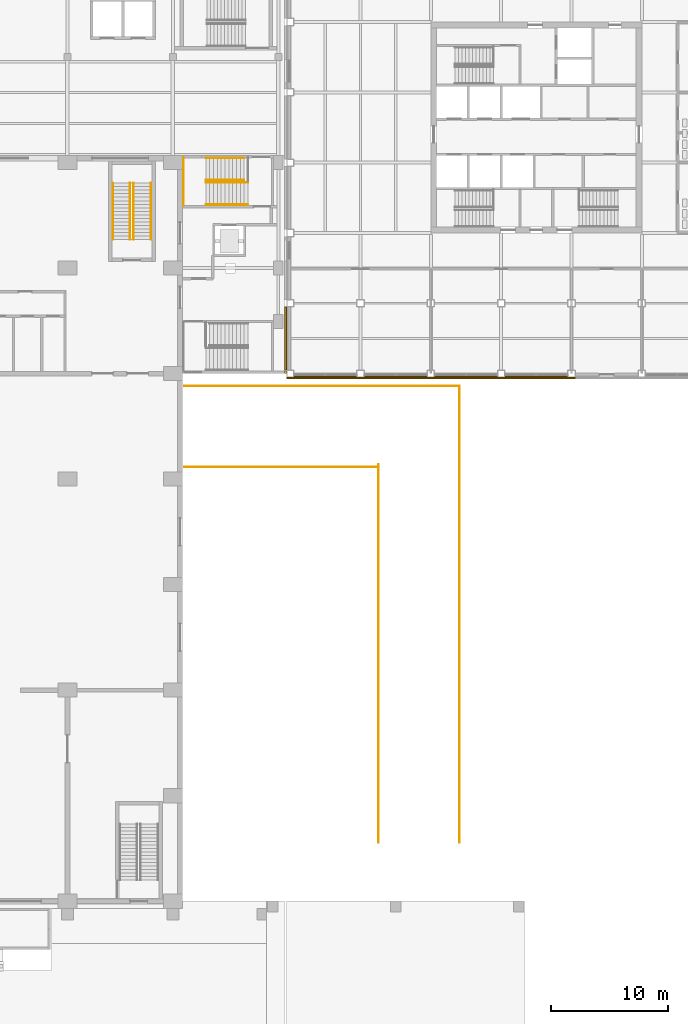
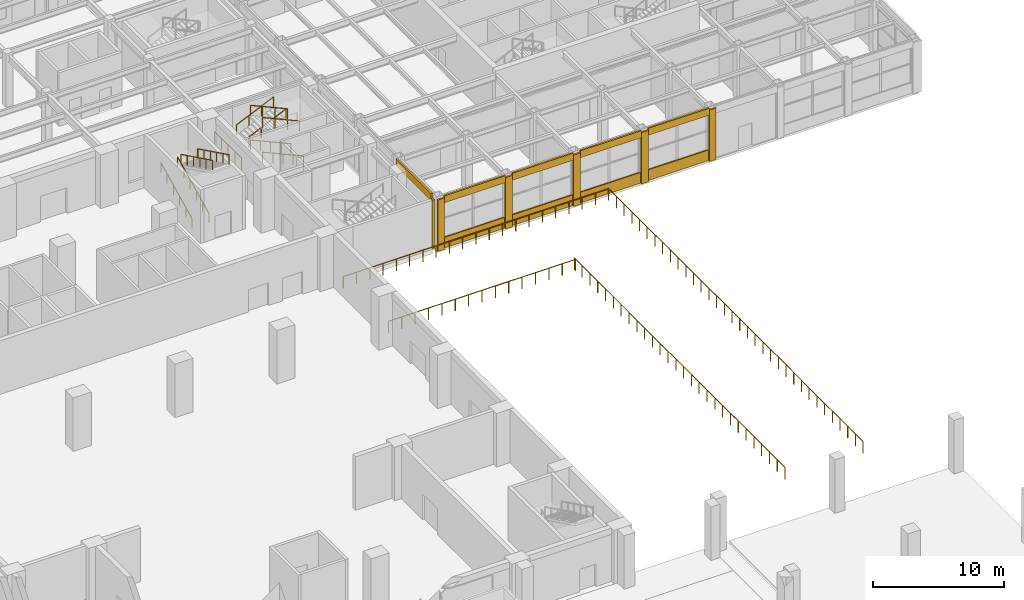
# One storey, part 68 of 77: 15 coverings, 14 railings.
"""IFC4 building model written with IfcOpenShell, lengths in metres."""

from ifc_helpers import new_model, si_unit, direction, frame, origin, origin_2d, place, context, subcontext, project, spatial, polyline, circle, outline, extrude, material, layer, layer_set, type_object, element, save


model = new_model("IFC4")

# Units and contexts
model_context = context("Model", 3, precision=1e-05, world=origin(), true_north=direction((0.0, 1.0)))
body_context = subcontext(model_context, "Body", "Model", "MODEL_VIEW")
ifc_project = project(units=[si_unit("LENGTHUNIT", "METRE"), si_unit("AREAUNIT", "SQUARE_METRE"), si_unit("VOLUMEUNIT", "CUBIC_METRE"), si_unit("PLANEANGLEUNIT", "RADIAN"), si_unit("MASSUNIT", "GRAM", prefix="KILO")], contexts=[model_context])

# Site, building, storey
site_placement = place(None, origin())
site = spatial("IfcSite", under=ifc_project, at=site_placement, CompositionType="ELEMENT")
building_placement = place(site_placement, origin())
building = spatial("IfcBuilding", under=site, at=building_placement, Name="Aravalli Gate Trade Fair Centre", CompositionType="ELEMENT")
storey_placement = place(building_placement, origin())
storey = spatial("IfcBuildingStorey", under=building, at=storey_placement, Name="L00", CompositionType="ELEMENT", Elevation=0.0)

# Railings
ifc_material_1 = material(Name="Steel E350", Category="steel")
railing_type_1 = type_object("IfcRailingType", Name="Basement ramp guard 1100", PredefinedType="GUARDRAIL", material=ifc_material_1)
railing_1_placement = place(storey_placement, frame((167.550048828125, 51.0, 0.0)))
element("IfcRailing", 1, at=railing_1_placement, inside=storey, type_object=railing_type_1, Name="Ramp guard west", PredefinedType="GUARDRAIL", context=body_context, shape_type="SweptSolid", body=[
    extrude(circle(Radius=0.02392578125, at=origin_2d()), frame((0.0, 0.0, 1.076171875), z_axis=(0.0, 1.0, 0.0), x_axis=(-1.0, 0.0, 0.0)), (0.0, 0.0, 1.0), 32.25),
    extrude(circle(Radius=0.02099609375, at=origin_2d()), origin(), (0.0, 0.0, 1.0), 1.052001953125),
    extrude(circle(Radius=0.02099609375, at=origin_2d()), frame((0.0, 1.1943359375, 0.0)), (0.0, 0.0, 1.0), 1.052001953125),
    extrude(circle(Radius=0.02099609375, at=origin_2d()), frame((0.0, 2.388916015625, 0.0)), (0.0, 0.0, 1.0), 1.052001953125),
    extrude(circle(Radius=0.02099609375, at=origin_2d()), frame((0.0, 3.583251953125, 0.0)), (0.0, 0.0, 1.0), 1.052001953125),
    extrude(circle(Radius=0.02099609375, at=origin_2d()), frame((0.0, 4.77783203125, 0.0)), (0.0, 0.0, 1.0), 1.052001953125),
    extrude(circle(Radius=0.02099609375, at=origin_2d()), frame((0.0, 5.97216796875, 0.0)), (0.0, 0.0, 1.0), 1.052001953125),
    extrude(circle(Radius=0.02099609375, at=origin_2d()), frame((0.0, 7.166748046875, 0.0)), (0.0, 0.0, 1.0), 1.052001953125),
    extrude(circle(Radius=0.02099609375, at=origin_2d()), frame((0.0, 8.361083984375, 0.0)), (0.0, 0.0, 1.0), 1.052001953125),
    extrude(circle(Radius=0.02099609375, at=origin_2d()), frame((0.0, 9.5556640625, 0.0)), (0.0, 0.0, 1.0), 1.052001953125),
    extrude(circle(Radius=0.02099609375, at=origin_2d()), frame((0.0, 10.75, 0.0)), (0.0, 0.0, 1.0), 1.052001953125),
    extrude(circle(Radius=0.02099609375, at=origin_2d()), frame((0.0, 11.9443359375, 0.0)), (0.0, 0.0, 1.0), 1.052001953125),
    extrude(circle(Radius=0.02099609375, at=origin_2d()), frame((0.0, 13.138916015625, 0.0)), (0.0, 0.0, 1.0), 1.052001953125),
    extrude(circle(Radius=0.02099609375, at=origin_2d()), frame((0.0, 14.333251953125, 0.0)), (0.0, 0.0, 1.0), 1.052001953125),
    extrude(circle(Radius=0.02099609375, at=origin_2d()), frame((0.0, 15.52783203125, 0.0)), (0.0, 0.0, 1.0), 1.052001953125),
    extrude(circle(Radius=0.02099609375, at=origin_2d()), frame((0.0, 16.72216796875, 0.0)), (0.0, 0.0, 1.0), 1.052001953125),
    extrude(circle(Radius=0.02099609375, at=origin_2d()), frame((0.0, 17.916748046875, 0.0)), (0.0, 0.0, 1.0), 1.052001953125),
    extrude(circle(Radius=0.02099609375, at=origin_2d()), frame((0.0, 19.111083984375, 0.0)), (0.0, 0.0, 1.0), 1.052001953125),
    extrude(circle(Radius=0.02099609375, at=origin_2d()), frame((0.0, 20.3056640625, 0.0)), (0.0, 0.0, 1.0), 1.052001953125),
    extrude(circle(Radius=0.02099609375, at=origin_2d()), frame((0.0, 21.5, 0.0)), (0.0, 0.0, 1.0), 1.052001953125),
    extrude(circle(Radius=0.02099609375, at=origin_2d()), frame((0.0, 22.6943359375, 0.0)), (0.0, 0.0, 1.0), 1.052001953125),
    extrude(circle(Radius=0.02099609375, at=origin_2d()), frame((0.0, 23.888916015625, 0.0)), (0.0, 0.0, 1.0), 1.052001953125),
    extrude(circle(Radius=0.02099609375, at=origin_2d()), frame((0.0, 25.083251953125, 0.0)), (0.0, 0.0, 1.0), 1.052001953125),
    extrude(circle(Radius=0.02099609375, at=origin_2d()), frame((0.0, 26.27783203125, 0.0)), (0.0, 0.0, 1.0), 1.052001953125),
    extrude(circle(Radius=0.02099609375, at=origin_2d()), frame((0.0, 27.47216796875, 0.0)), (0.0, 0.0, 1.0), 1.052001953125),
    extrude(circle(Radius=0.02099609375, at=origin_2d()), frame((0.0, 28.666748046875, 0.0)), (0.0, 0.0, 1.0), 1.052001953125),
    extrude(circle(Radius=0.02099609375, at=origin_2d()), frame((0.0, 29.861083984375, 0.0)), (0.0, 0.0, 1.0), 1.052001953125),
    extrude(circle(Radius=0.02099609375, at=origin_2d()), frame((0.0, 31.0556640625, 0.0)), (0.0, 0.0, 1.0), 1.052001953125),
    extrude(circle(Radius=0.02099609375, at=origin_2d()), frame((0.0, 32.25, 0.0)), (0.0, 0.0, 1.0), 1.052001953125),
])
railing_2_placement = place(storey_placement, frame((174.449951171875, 51.0, 0.0)))
element("IfcRailing", 2, at=railing_2_placement, inside=storey, type_object=railing_type_1, Name="Ramp guard east and channel north", PredefinedType="GUARDRAIL", context=body_context, shape_type="SweptSolid", body=[
    extrude(circle(Radius=0.02392578125, at=origin_2d()), frame((0.0, 0.0, 1.076171875), z_axis=(0.0, 1.0, 0.0), x_axis=(-1.0, 0.0, 0.0)), (0.0, 0.0, 1.0), 38.949951171875),
    extrude(circle(Radius=0.02392578125, at=origin_2d()), frame((0.0, 38.949951171875, 1.076171875), z_axis=(-1.0, 0.0, 0.0), x_axis=(0.0, -1.0, 0.0)), (0.0, 0.0, 1.0), 23.449951171875),
    extrude(circle(Radius=0.02099609375, at=origin_2d()), origin(), (0.0, 0.0, 1.0), 1.052001953125),
    extrude(circle(Radius=0.02099609375, at=origin_2d()), frame((0.0, 1.180419921875, 0.0)), (0.0, 0.0, 1.0), 1.052001953125),
    extrude(circle(Radius=0.02099609375, at=origin_2d()), frame((0.0, 2.360595703125, 0.0)), (0.0, 0.0, 1.0), 1.052001953125),
    extrude(circle(Radius=0.02099609375, at=origin_2d()), frame((0.0, 3.541015625, 0.0)), (0.0, 0.0, 1.0), 1.052001953125),
    extrude(circle(Radius=0.02099609375, at=origin_2d()), frame((0.0, 4.72119140625, 0.0)), (0.0, 0.0, 1.0), 1.052001953125),
    extrude(circle(Radius=0.02099609375, at=origin_2d()), frame((0.0, 5.901611328125, 0.0)), (0.0, 0.0, 1.0), 1.052001953125),
    extrude(circle(Radius=0.02099609375, at=origin_2d()), frame((0.0, 7.081787109375, 0.0)), (0.0, 0.0, 1.0), 1.052001953125),
    extrude(circle(Radius=0.02099609375, at=origin_2d()), frame((0.0, 8.26220703125, 0.0)), (0.0, 0.0, 1.0), 1.052001953125),
    extrude(circle(Radius=0.02099609375, at=origin_2d()), frame((0.0, 9.4423828125, 0.0)), (0.0, 0.0, 1.0), 1.052001953125),
    extrude(circle(Radius=0.02099609375, at=origin_2d()), frame((0.0, 10.622802734375, 0.0)), (0.0, 0.0, 1.0), 1.052001953125),
    extrude(circle(Radius=0.02099609375, at=origin_2d()), frame((0.0, 11.802978515625, 0.0)), (0.0, 0.0, 1.0), 1.052001953125),
    extrude(circle(Radius=0.02099609375, at=origin_2d()), frame((0.0, 12.9833984375, 0.0)), (0.0, 0.0, 1.0), 1.052001953125),
    extrude(circle(Radius=0.02099609375, at=origin_2d()), frame((0.0, 14.16357421875, 0.0)), (0.0, 0.0, 1.0), 1.052001953125),
    extrude(circle(Radius=0.02099609375, at=origin_2d()), frame((0.0, 15.343994140625, 0.0)), (0.0, 0.0, 1.0), 1.052001953125),
    extrude(circle(Radius=0.02099609375, at=origin_2d()), frame((0.0, 16.524169921875, 0.0)), (0.0, 0.0, 1.0), 1.052001953125),
    extrude(circle(Radius=0.02099609375, at=origin_2d()), frame((0.0, 17.70458984375, 0.0)), (0.0, 0.0, 1.0), 1.052001953125),
    extrude(circle(Radius=0.02099609375, at=origin_2d()), frame((0.0, 18.884765625, 0.0)), (0.0, 0.0, 1.0), 1.052001953125),
    extrude(circle(Radius=0.02099609375, at=origin_2d()), frame((0.0, 20.065185546875, 0.0)), (0.0, 0.0, 1.0), 1.052001953125),
    extrude(circle(Radius=0.02099609375, at=origin_2d()), frame((0.0, 21.245361328125, 0.0)), (0.0, 0.0, 1.0), 1.052001953125),
    extrude(circle(Radius=0.02099609375, at=origin_2d()), frame((0.0, 22.42578125, 0.0)), (0.0, 0.0, 1.0), 1.052001953125),
    extrude(circle(Radius=0.02099609375, at=origin_2d()), frame((0.0, 23.60595703125, 0.0)), (0.0, 0.0, 1.0), 1.052001953125),
    extrude(circle(Radius=0.02099609375, at=origin_2d()), frame((0.0, 24.786376953125, 0.0)), (0.0, 0.0, 1.0), 1.052001953125),
    extrude(circle(Radius=0.02099609375, at=origin_2d()), frame((0.0, 25.966552734375, 0.0)), (0.0, 0.0, 1.0), 1.052001953125),
    extrude(circle(Radius=0.02099609375, at=origin_2d()), frame((0.0, 27.14697265625, 0.0)), (0.0, 0.0, 1.0), 1.052001953125),
    extrude(circle(Radius=0.02099609375, at=origin_2d()), frame((0.0, 28.3271484375, 0.0)), (0.0, 0.0, 1.0), 1.052001953125),
    extrude(circle(Radius=0.02099609375, at=origin_2d()), frame((0.0, 29.507568359375, 0.0)), (0.0, 0.0, 1.0), 1.052001953125),
    extrude(circle(Radius=0.02099609375, at=origin_2d()), frame((0.0, 30.687744140625, 0.0)), (0.0, 0.0, 1.0), 1.052001953125),
    extrude(circle(Radius=0.02099609375, at=origin_2d()), frame((0.0, 31.8681640625, 0.0)), (0.0, 0.0, 1.0), 1.052001953125),
    extrude(circle(Radius=0.02099609375, at=origin_2d()), frame((0.0, 33.04833984375, 0.0)), (0.0, 0.0, 1.0), 1.052001953125),
    extrude(circle(Radius=0.02099609375, at=origin_2d()), frame((0.0, 34.228759765625, 0.0)), (0.0, 0.0, 1.0), 1.052001953125),
    extrude(circle(Radius=0.02099609375, at=origin_2d()), frame((0.0, 35.408935546875, 0.0)), (0.0, 0.0, 1.0), 1.052001953125),
    extrude(circle(Radius=0.02099609375, at=origin_2d()), frame((0.0, 36.58935546875, 0.0)), (0.0, 0.0, 1.0), 1.052001953125),
    extrude(circle(Radius=0.02099609375, at=origin_2d()), frame((0.0, 37.76953125, 0.0)), (0.0, 0.0, 1.0), 1.052001953125),
    extrude(circle(Radius=0.02099609375, at=origin_2d()), frame((0.0, 38.949951171875, 0.0)), (0.0, 0.0, 1.0), 1.052001953125),
    extrude(circle(Radius=0.02099609375, at=origin_2d()), frame((-1.172607421875, 38.949951171875, 0.0)), (0.0, 0.0, 1.0), 1.052001953125),
    extrude(circle(Radius=0.02099609375, at=origin_2d()), frame((-2.344970703125, 38.949951171875, 0.0)), (0.0, 0.0, 1.0), 1.052001953125),
    extrude(circle(Radius=0.02099609375, at=origin_2d()), frame((-3.517578125, 38.949951171875, 0.0)), (0.0, 0.0, 1.0), 1.052001953125),
    extrude(circle(Radius=0.02099609375, at=origin_2d()), frame((-4.68994140625, 38.949951171875, 0.0)), (0.0, 0.0, 1.0), 1.052001953125),
    extrude(circle(Radius=0.02099609375, at=origin_2d()), frame((-5.862548828125, 38.949951171875, 0.0)), (0.0, 0.0, 1.0), 1.052001953125),
    extrude(circle(Radius=0.02099609375, at=origin_2d()), frame((-7.034912109375, 38.949951171875, 0.0)), (0.0, 0.0, 1.0), 1.052001953125),
    extrude(circle(Radius=0.02099609375, at=origin_2d()), frame((-8.20751953125, 38.949951171875, 0.0)), (0.0, 0.0, 1.0), 1.052001953125),
    extrude(circle(Radius=0.02099609375, at=origin_2d()), frame((-9.3798828125, 38.949951171875, 0.0)), (0.0, 0.0, 1.0), 1.052001953125),
    extrude(circle(Radius=0.02099609375, at=origin_2d()), frame((-10.552490234375, 38.949951171875, 0.0)), (0.0, 0.0, 1.0), 1.052001953125),
    extrude(circle(Radius=0.02099609375, at=origin_2d()), frame((-11.72509765625, 38.949951171875, 0.0)), (0.0, 0.0, 1.0), 1.052001953125),
    extrude(circle(Radius=0.02099609375, at=origin_2d()), frame((-12.8974609375, 38.949951171875, 0.0)), (0.0, 0.0, 1.0), 1.052001953125),
    extrude(circle(Radius=0.02099609375, at=origin_2d()), frame((-14.070068359375, 38.949951171875, 0.0)), (0.0, 0.0, 1.0), 1.052001953125),
    extrude(circle(Radius=0.02099609375, at=origin_2d()), frame((-15.242431640625, 38.949951171875, 0.0)), (0.0, 0.0, 1.0), 1.052001953125),
    extrude(circle(Radius=0.02099609375, at=origin_2d()), frame((-16.4150390625, 38.949951171875, 0.0)), (0.0, 0.0, 1.0), 1.052001953125),
    extrude(circle(Radius=0.02099609375, at=origin_2d()), frame((-17.58740234375, 38.949951171875, 0.0)), (0.0, 0.0, 1.0), 1.052001953125),
    extrude(circle(Radius=0.02099609375, at=origin_2d()), frame((-18.760009765625, 38.949951171875, 0.0)), (0.0, 0.0, 1.0), 1.052001953125),
    extrude(circle(Radius=0.02099609375, at=origin_2d()), frame((-19.932373046875, 38.949951171875, 0.0)), (0.0, 0.0, 1.0), 1.052001953125),
    extrude(circle(Radius=0.02099609375, at=origin_2d()), frame((-21.10498046875, 38.949951171875, 0.0)), (0.0, 0.0, 1.0), 1.052001953125),
    extrude(circle(Radius=0.02099609375, at=origin_2d()), frame((-22.27734375, 38.949951171875, 0.0)), (0.0, 0.0, 1.0), 1.052001953125),
    extrude(circle(Radius=0.02099609375, at=origin_2d()), frame((-23.449951171875, 38.949951171875, 0.0)), (0.0, 0.0, 1.0), 1.052001953125),
])
railing_3_placement = place(storey_placement, frame((167.550048828125, 83.050048828125, 0.0)))
element("IfcRailing", 3, at=railing_3_placement, inside=storey, type_object=railing_type_1, Name="Channel guard south", PredefinedType="GUARDRAIL", context=body_context, shape_type="SweptSolid", body=[
    extrude(circle(Radius=0.02392578125, at=origin_2d()), frame((0.0, 0.0, 1.076171875), z_axis=(-1.0, 0.0, 0.0), x_axis=(0.0, -1.0, 0.0)), (0.0, 0.0, 1.0), 16.550048828125),
    extrude(circle(Radius=0.02099609375, at=origin_2d()), origin(), (0.0, 0.0, 1.0), 1.052001953125),
    extrude(circle(Radius=0.02099609375, at=origin_2d()), frame((-1.18212890625, 0.0, 0.0)), (0.0, 0.0, 1.0), 1.052001953125),
    extrude(circle(Radius=0.02099609375, at=origin_2d()), frame((-2.3642578125, 0.0, 0.0)), (0.0, 0.0, 1.0), 1.052001953125),
    extrude(circle(Radius=0.02099609375, at=origin_2d()), frame((-3.54638671875, 0.0, 0.0)), (0.0, 0.0, 1.0), 1.052001953125),
    extrude(circle(Radius=0.02099609375, at=origin_2d()), frame((-4.728515625, 0.0, 0.0)), (0.0, 0.0, 1.0), 1.052001953125),
    extrude(circle(Radius=0.02099609375, at=origin_2d()), frame((-5.91064453125, 0.0, 0.0)), (0.0, 0.0, 1.0), 1.052001953125),
    extrude(circle(Radius=0.02099609375, at=origin_2d()), frame((-7.0927734375, 0.0, 0.0)), (0.0, 0.0, 1.0), 1.052001953125),
    extrude(circle(Radius=0.02099609375, at=origin_2d()), frame((-8.27490234375, 0.0, 0.0)), (0.0, 0.0, 1.0), 1.052001953125),
    extrude(circle(Radius=0.02099609375, at=origin_2d()), frame((-9.457275390625, 0.0, 0.0)), (0.0, 0.0, 1.0), 1.052001953125),
    extrude(circle(Radius=0.02099609375, at=origin_2d()), frame((-10.639404296875, 0.0, 0.0)), (0.0, 0.0, 1.0), 1.052001953125),
    extrude(circle(Radius=0.02099609375, at=origin_2d()), frame((-11.821533203125, 0.0, 0.0)), (0.0, 0.0, 1.0), 1.052001953125),
    extrude(circle(Radius=0.02099609375, at=origin_2d()), frame((-13.003662109375, 0.0, 0.0)), (0.0, 0.0, 1.0), 1.052001953125),
    extrude(circle(Radius=0.02099609375, at=origin_2d()), frame((-14.185791015625, 0.0, 0.0)), (0.0, 0.0, 1.0), 1.052001953125),
    extrude(circle(Radius=0.02099609375, at=origin_2d()), frame((-15.367919921875, 0.0, 0.0)), (0.0, 0.0, 1.0), 1.052001953125),
    extrude(circle(Radius=0.02099609375, at=origin_2d()), frame((-16.550048828125, 0.0, 0.0)), (0.0, 0.0, 1.0), 1.052001953125),
])
railing_type_2 = type_object("IfcRailingType", Name="Congress stair handrail 900", PredefinedType="HANDRAIL", material=ifc_material_1)
for number, where, name in (
    (4, (144.8701171875, 102.449951171875, 0.147216796875), "Handrail GS4 L00 1"),
    (5, (146.35009765625, 102.449951171875, 0.147216796875), "Handrail GS4 L00 2"),
):
    element("IfcRailing", number, at=place(storey_placement, frame(where)), inside=storey, type_object=railing_type_2, Name=name, PredefinedType="HANDRAIL", context=body_context, shape_type="SweptSolid", body=[
        extrude(circle(Radius=0.02392578125, at=origin_2d()), frame((0.0, 0.0, 0.8759765625), z_axis=(0.0, 0.89793417156, 0.440129780343), x_axis=(-1.0, 0.0, 0.0)), (0.0, 0.0, 1.0), 5.345703125),
        extrude(circle(Radius=0.02099609375, at=origin_2d()), origin(), (0.0, 0.0, 1.0), 0.851806640625),
        extrude(circle(Radius=0.02099609375, at=origin_2d()), frame((0.0, 0.9599609375, 0.470458984375)), (0.0, 0.0, 1.0), 0.851806640625),
        extrude(circle(Radius=0.02099609375, at=origin_2d()), frame((0.0, 1.919921875, 0.941162109375)), (0.0, 0.0, 1.0), 0.851806640625),
        extrude(circle(Radius=0.02099609375, at=origin_2d()), frame((0.0, 2.880126953125, 1.41162109375)), (0.0, 0.0, 1.0), 0.851806640625),
        extrude(circle(Radius=0.02099609375, at=origin_2d()), frame((0.0, 3.840087890625, 1.88232421875)), (0.0, 0.0, 1.0), 0.851806640625),
        extrude(circle(Radius=0.02099609375, at=origin_2d()), frame((0.0, 4.800048828125, 2.352783203125)), (0.0, 0.0, 1.0), 0.851806640625),
    ])
for number, where, name in (
    (6, (148.1298828125, 107.25, 2.647216796875), "Handrail GS4 L00 3"),
    (7, (146.64990234375, 107.25, 2.647216796875), "Handrail GS4 L00 4"),
):
    element("IfcRailing", number, at=place(storey_placement, frame(where)), inside=storey, type_object=railing_type_2, Name=name, PredefinedType="HANDRAIL", context=body_context, shape_type="SweptSolid", body=[
        extrude(circle(Radius=0.02392578125, at=origin_2d()), frame((0.0, 0.0, 0.8759765625), z_axis=(0.0, -0.89793417156, 0.440129780343), x_axis=(1.0, 0.0, 0.0)), (0.0, 0.0, 1.0), 5.345703125),
        extrude(circle(Radius=0.02099609375, at=origin_2d()), origin(), (0.0, 0.0, 1.0), 0.851806640625),
        extrude(circle(Radius=0.02099609375, at=origin_2d()), frame((0.0, -0.9599609375, 0.470458984375)), (0.0, 0.0, 1.0), 0.851806640625),
        extrude(circle(Radius=0.02099609375, at=origin_2d()), frame((0.0, -1.919921875, 0.941162109375)), (0.0, 0.0, 1.0), 0.851806640625),
        extrude(circle(Radius=0.02099609375, at=origin_2d()), frame((0.0, -2.880126953125, 1.41162109375)), (0.0, 0.0, 1.0), 0.851806640625),
        extrude(circle(Radius=0.02099609375, at=origin_2d()), frame((0.0, -3.840087890625, 1.88232421875)), (0.0, 0.0, 1.0), 0.851806640625),
        extrude(circle(Radius=0.02099609375, at=origin_2d()), frame((0.0, -4.800048828125, 2.352783203125)), (0.0, 0.0, 1.0), 0.851806640625),
    ])

# Coverings
ifc_material_2 = material(Name="Stainless steel joint cover", Category="steel")
ifc_layer_1 = layer(ifc_material_2, 0.199951171875)
ifc_layer_set_1 = layer_set([ifc_layer_1], Name="Stainless steel joint cover")
covering_type_1 = type_object("IfcCoveringType", Name="Link seismic joint cover 200", PredefinedType="CLADDING", material=ifc_layer_set_1)
covering_1_placement = place(storey_placement, origin())
element("IfcCovering", 8, at=covering_1_placement, inside=storey, type_object=covering_type_1, Name="Seismic joint cover L00", PredefinedType="CLADDING", context=body_context, shape_type="SweptSolid", body=[
    extrude(outline(polyline([(159.5, 91.0), (159.699951171875, 91.0), (159.699951171875, 91.25), (159.5, 91.25), (159.5, 91.0)])), origin(), (0.0, 0.0, 1.0), 4.590087890625),
])
ifc_material_3 = material(Name="Dholpur sandstone", Category="masonry")
ifc_layer_2 = layer(ifc_material_3, 0.14990234375)
ifc_layer_set_2 = layer_set([ifc_layer_2], Name="Dholpur sandstone")
covering_type_2 = type_object("IfcCoveringType", Name="Wing sandstone pier casing 150", PredefinedType="CLADDING", material=ifc_layer_set_2)
covering_2_placement = place(storey_placement, origin())
element("IfcCovering", 9, at=covering_2_placement, inside=storey, type_object=covering_type_2, Name="Pier casing 18F S L00", PredefinedType="CLADDING", context=body_context, shape_type="SweptSolid", body=[
    extrude(outline(polyline([(159.699951171875, 90.550048828125), (160.300048828125, 90.550048828125), (160.300048828125, 90.699951171875), (159.699951171875, 90.699951171875), (159.699951171875, 90.550048828125)])), origin(), (0.0, 0.0, 1.0), 4.800048828125),
])
covering_3_placement = place(storey_placement, origin())
element("IfcCovering", 10, at=covering_3_placement, inside=storey, type_object=covering_type_2, Name="Pier casing 19F S L00", PredefinedType="CLADDING", context=body_context, shape_type="SweptSolid", body=[
    extrude(outline(polyline([(165.699951171875, 90.550048828125), (166.300048828125, 90.550048828125), (166.300048828125, 90.699951171875), (165.699951171875, 90.699951171875), (165.699951171875, 90.550048828125)])), origin(), (0.0, 0.0, 1.0), 4.800048828125),
])
covering_4_placement = place(storey_placement, origin())
element("IfcCovering", 11, at=covering_4_placement, inside=storey, type_object=covering_type_2, Name="Pier casing 20F S L00", PredefinedType="CLADDING", context=body_context, shape_type="SweptSolid", body=[
    extrude(outline(polyline([(171.699951171875, 90.550048828125), (172.300048828125, 90.550048828125), (172.300048828125, 90.699951171875), (171.699951171875, 90.699951171875), (171.699951171875, 90.550048828125)])), origin(), (0.0, 0.0, 1.0), 4.800048828125),
])
covering_5_placement = place(storey_placement, origin())
element("IfcCovering", 12, at=covering_5_placement, inside=storey, type_object=covering_type_2, Name="Pier casing 21F S L00", PredefinedType="CLADDING", context=body_context, shape_type="SweptSolid", body=[
    extrude(outline(polyline([(177.699951171875, 90.550048828125), (178.300048828125, 90.550048828125), (178.300048828125, 90.699951171875), (177.699951171875, 90.699951171875), (177.699951171875, 90.550048828125)])), origin(), (0.0, 0.0, 1.0), 4.800048828125),
])
covering_6_placement = place(storey_placement, origin())
element("IfcCovering", 13, at=covering_6_placement, inside=storey, type_object=covering_type_2, Name="Pier casing 22F S L00", PredefinedType="CLADDING", context=body_context, shape_type="SweptSolid", body=[
    extrude(outline(polyline([(183.699951171875, 90.550048828125), (184.300048828125, 90.550048828125), (184.300048828125, 90.699951171875), (183.699951171875, 90.699951171875), (183.699951171875, 90.550048828125)])), origin(), (0.0, 0.0, 1.0), 4.800048828125),
])
ifc_material_4 = material(Name="Glazed terracotta", Category="masonry")
ifc_layer_3 = layer(ifc_material_4, 0.14501953125)
ifc_layer_set_3 = layer_set([ifc_layer_3], Name="Glazed terracotta")
covering_type_3 = type_object("IfcCoveringType", Name="Wing spandrel band 145", PredefinedType="CLADDING", material=ifc_layer_set_3)
covering_7_placement = place(storey_placement, frame((0.0, 0.0, 4.35009765625)))
element("IfcCovering", 14, at=covering_7_placement, inside=storey, type_object=covering_type_3, Name="Spandrel band S0 L00", PredefinedType="CLADDING", context=body_context, shape_type="SweptSolid", body=[
    extrude(outline(polyline([(160.300048828125, 90.550048828125), (165.699951171875, 90.550048828125), (165.699951171875, 90.695068359375), (160.300048828125, 90.695068359375), (160.300048828125, 90.550048828125)])), origin(), (0.0, 0.0, 1.0), 0.64990234375),
])
covering_8_placement = place(storey_placement, frame((0.0, 0.0, 4.35009765625)))
element("IfcCovering", 15, at=covering_8_placement, inside=storey, type_object=covering_type_3, Name="Spandrel band S1 L00", PredefinedType="CLADDING", context=body_context, shape_type="SweptSolid", body=[
    extrude(outline(polyline([(166.300048828125, 90.550048828125), (171.699951171875, 90.550048828125), (171.699951171875, 90.695068359375), (166.300048828125, 90.695068359375), (166.300048828125, 90.550048828125)])), origin(), (0.0, 0.0, 1.0), 0.64990234375),
])
covering_9_placement = place(storey_placement, frame((0.0, 0.0, 4.35009765625)))
element("IfcCovering", 16, at=covering_9_placement, inside=storey, type_object=covering_type_3, Name="Spandrel band S2 L00", PredefinedType="CLADDING", context=body_context, shape_type="SweptSolid", body=[
    extrude(outline(polyline([(172.300048828125, 90.550048828125), (177.699951171875, 90.550048828125), (177.699951171875, 90.695068359375), (172.300048828125, 90.695068359375), (172.300048828125, 90.550048828125)])), origin(), (0.0, 0.0, 1.0), 0.64990234375),
])
covering_10_placement = place(storey_placement, frame((0.0, 0.0, 4.35009765625)))
element("IfcCovering", 17, at=covering_10_placement, inside=storey, type_object=covering_type_3, Name="Spandrel band S3 L00", PredefinedType="CLADDING", context=body_context, shape_type="SweptSolid", body=[
    extrude(outline(polyline([(178.300048828125, 90.550048828125), (183.699951171875, 90.550048828125), (183.699951171875, 90.695068359375), (178.300048828125, 90.695068359375), (178.300048828125, 90.550048828125)])), origin(), (0.0, 0.0, 1.0), 0.64990234375),
])
covering_11_placement = place(storey_placement, frame((0.0, 0.0, 4.35009765625)))
element("IfcCovering", 18, at=covering_11_placement, inside=storey, type_object=covering_type_3, Name="Spandrel band W0 L00", PredefinedType="CLADDING", context=body_context, shape_type="SweptSolid", body=[
    extrude(outline(polyline([(159.550048828125, 91.300048828125), (159.695068359375, 91.300048828125), (159.695068359375, 96.699951171875), (159.550048828125, 96.699951171875), (159.550048828125, 91.300048828125)])), origin(), (0.0, 0.0, 1.0), 0.64990234375),
])

# Railings
railing_type_3 = type_object("IfcRailingType", Name="Wing stair handrail", PredefinedType="HANDRAIL", material=ifc_material_1)
for number, where, name in (
    (19, (156.39990234375, 105.409912109375, 0.14697265625), "Handrail LB L00 1a"),
    (20, (156.39990234375, 107.2900390625, 0.14697265625), "Handrail LB L00 1b"),
):
    element("IfcRailing", number, at=place(storey_placement, frame(where)), inside=storey, type_object=railing_type_3, Name=name, PredefinedType="HANDRAIL", context=body_context, shape_type="SweptSolid", body=[
        extrude(circle(Radius=0.02392578125, at=origin_2d()), frame((0.0, 0.0, 0.92578125), z_axis=(-0.91201066968, 0.0, 0.410166476434), x_axis=(0.0, -1.0, 0.0)), (0.0, 0.0, 1.0), 3.94384765625),
        extrude(circle(Radius=0.02099609375, at=origin_2d()), origin(), (0.0, 0.0, 1.0), 0.90185546875),
        extrude(circle(Radius=0.02099609375, at=origin_2d()), frame((-0.899169921875, 0.0, 0.404296875)), (0.0, 0.0, 1.0), 0.90185546875),
        extrude(circle(Radius=0.02099609375, at=origin_2d()), frame((-1.79833984375, 0.0, 0.808837890625)), (0.0, 0.0, 1.0), 0.90185546875),
        extrude(circle(Radius=0.02099609375, at=origin_2d()), frame((-2.69775390625, 0.0, 1.21337890625)), (0.0, 0.0, 1.0), 0.90185546875),
        extrude(circle(Radius=0.02099609375, at=origin_2d()), frame((-3.596923828125, 0.0, 1.61767578125)), (0.0, 0.0, 1.0), 0.90185546875),
    ])
for number, where, name in (
    (21, (152.802978515625, 107.510009765625, 1.911865234375), "Handrail LB L00 2a"),
    (22, (152.802978515625, 109.389892578125, 1.911865234375), "Handrail LB L00 2b"),
):
    element("IfcRailing", number, at=place(storey_placement, frame(where)), inside=storey, type_object=railing_type_3, Name=name, PredefinedType="HANDRAIL", context=body_context, shape_type="SweptSolid", body=[
        extrude(circle(Radius=0.02392578125, at=origin_2d()), frame((0.0, 0.0, 0.92578125), z_axis=(0.912031043563, 0.0, 0.410121171822), x_axis=(0.0, 1.0, 0.0)), (0.0, 0.0, 1.0), 3.58544921875),
        extrude(circle(Radius=0.02099609375, at=origin_2d()), origin(), (0.0, 0.0, 1.0), 0.90185546875),
        extrude(circle(Radius=0.02099609375, at=origin_2d()), frame((1.090087890625, 0.0, 0.490234375)), (0.0, 0.0, 1.0), 0.90185546875),
        extrude(circle(Radius=0.02099609375, at=origin_2d()), frame((2.179931640625, 0.0, 0.980224609375)), (0.0, 0.0, 1.0), 0.90185546875),
        extrude(circle(Radius=0.02099609375, at=origin_2d()), frame((3.27001953125, 0.0, 1.470458984375)), (0.0, 0.0, 1.0), 0.90185546875),
    ])
for number, where, name in (
    (23, (156.072998046875, 105.409912109375, 3.529296875), "Handrail LB L00 3a"),
    (24, (156.072998046875, 107.2900390625, 3.529296875), "Handrail LB L00 3b"),
):
    element("IfcRailing", number, at=place(storey_placement, frame(where)), inside=storey, type_object=railing_type_3, Name=name, PredefinedType="HANDRAIL", context=body_context, shape_type="SweptSolid", body=[
        extrude(circle(Radius=0.02392578125, at=origin_2d()), frame((0.0, 0.0, 0.92578125), z_axis=(-0.912005572974, 0.0, 0.410177808839), x_axis=(0.0, -1.0, 0.0)), (0.0, 0.0, 1.0), 3.58544921875),
        extrude(circle(Radius=0.02099609375, at=origin_2d()), origin(), (0.0, 0.0, 1.0), 0.90185546875),
        extrude(circle(Radius=0.02099609375, at=origin_2d()), frame((-1.090087890625, 0.0, 0.490234375)), (0.0, 0.0, 1.0), 0.90185546875),
        extrude(circle(Radius=0.02099609375, at=origin_2d()), frame((-2.179931640625, 0.0, 0.98046875)), (0.0, 0.0, 1.0), 0.90185546875),
        extrude(circle(Radius=0.02099609375, at=origin_2d()), frame((-3.27001953125, 0.0, 1.470703125)), (0.0, 0.0, 1.0), 0.90185546875),
    ])
railing_type_4 = type_object("IfcRailingType", Name="Wing stair roof guard", PredefinedType="GUARDRAIL", material=ifc_material_1)
railing_4_placement = place(storey_placement, frame((150.89990234375, 105.35009765625, 1.7646484375)))
element("IfcRailing", 25, at=railing_4_placement, inside=storey, type_object=railing_type_4, Name="Guard LB landing L00 west edge 2", PredefinedType="GUARDRAIL", context=body_context, shape_type="SweptSolid", body=[
    extrude(circle(Radius=0.02392578125, at=origin_2d()), frame((0.0, 0.0, 1.076171875), z_axis=(0.0, 1.0, 0.0), x_axis=(-1.0, 0.0, 0.0)), (0.0, 0.0, 1.0), 4.099853515625),
    extrude(circle(Radius=0.02099609375, at=origin_2d()), origin(), (0.0, 0.0, 1.0), 1.052001953125),
    extrude(circle(Radius=0.02099609375, at=origin_2d()), frame((0.0, 1.02490234375, 0.0)), (0.0, 0.0, 1.0), 1.052001953125),
    extrude(circle(Radius=0.02099609375, at=origin_2d()), frame((0.0, 2.0498046875, 0.0)), (0.0, 0.0, 1.0), 1.052001953125),
    extrude(circle(Radius=0.02099609375, at=origin_2d()), frame((0.0, 3.074951171875, 0.0)), (0.0, 0.0, 1.0), 1.052001953125),
    extrude(circle(Radius=0.02099609375, at=origin_2d()), frame((0.0, 4.099853515625, 0.0)), (0.0, 0.0, 1.0), 1.052001953125),
])

# Coverings
ifc_layer_4 = layer(ifc_material_3, 0.10009765625)
ifc_layer_set_4 = layer_set([ifc_layer_4], Name="Dholpur sandstone")
covering_type_4 = type_object("IfcCoveringType", Name="Wing stone base course 100", PredefinedType="CLADDING", material=ifc_layer_set_4)
covering_12_placement = place(storey_placement, origin())
element("IfcCovering", 26, at=covering_12_placement, inside=storey, type_object=covering_type_4, Name="Stone base course S0 L00", PredefinedType="CLADDING", context=body_context, shape_type="SweptSolid", body=[
    extrude(outline(polyline([(160.300048828125, 90.699951171875), (165.699951171875, 90.699951171875), (165.699951171875, 90.800048828125), (160.300048828125, 90.800048828125), (160.300048828125, 90.699951171875)])), origin(), (0.0, 0.0, 1.0), 1.0),
])
covering_13_placement = place(storey_placement, origin())
element("IfcCovering", 27, at=covering_13_placement, inside=storey, type_object=covering_type_4, Name="Stone base course S1 L00", PredefinedType="CLADDING", context=body_context, shape_type="SweptSolid", body=[
    extrude(outline(polyline([(166.300048828125, 90.699951171875), (171.699951171875, 90.699951171875), (171.699951171875, 90.800048828125), (166.300048828125, 90.800048828125), (166.300048828125, 90.699951171875)])), origin(), (0.0, 0.0, 1.0), 1.0),
])
covering_14_placement = place(storey_placement, origin())
element("IfcCovering", 28, at=covering_14_placement, inside=storey, type_object=covering_type_4, Name="Stone base course S2 L00", PredefinedType="CLADDING", context=body_context, shape_type="SweptSolid", body=[
    extrude(outline(polyline([(172.300048828125, 90.699951171875), (177.699951171875, 90.699951171875), (177.699951171875, 90.800048828125), (172.300048828125, 90.800048828125), (172.300048828125, 90.699951171875)])), origin(), (0.0, 0.0, 1.0), 1.0),
])
covering_15_placement = place(storey_placement, origin())
element("IfcCovering", 29, at=covering_15_placement, inside=storey, type_object=covering_type_4, Name="Stone base course S3 L00", PredefinedType="CLADDING", context=body_context, shape_type="SweptSolid", body=[
    extrude(outline(polyline([(178.300048828125, 90.699951171875), (183.699951171875, 90.699951171875), (183.699951171875, 90.800048828125), (178.300048828125, 90.800048828125), (178.300048828125, 90.699951171875)])), origin(), (0.0, 0.0, 1.0), 1.0),
])

save(model, "model.ifc")
